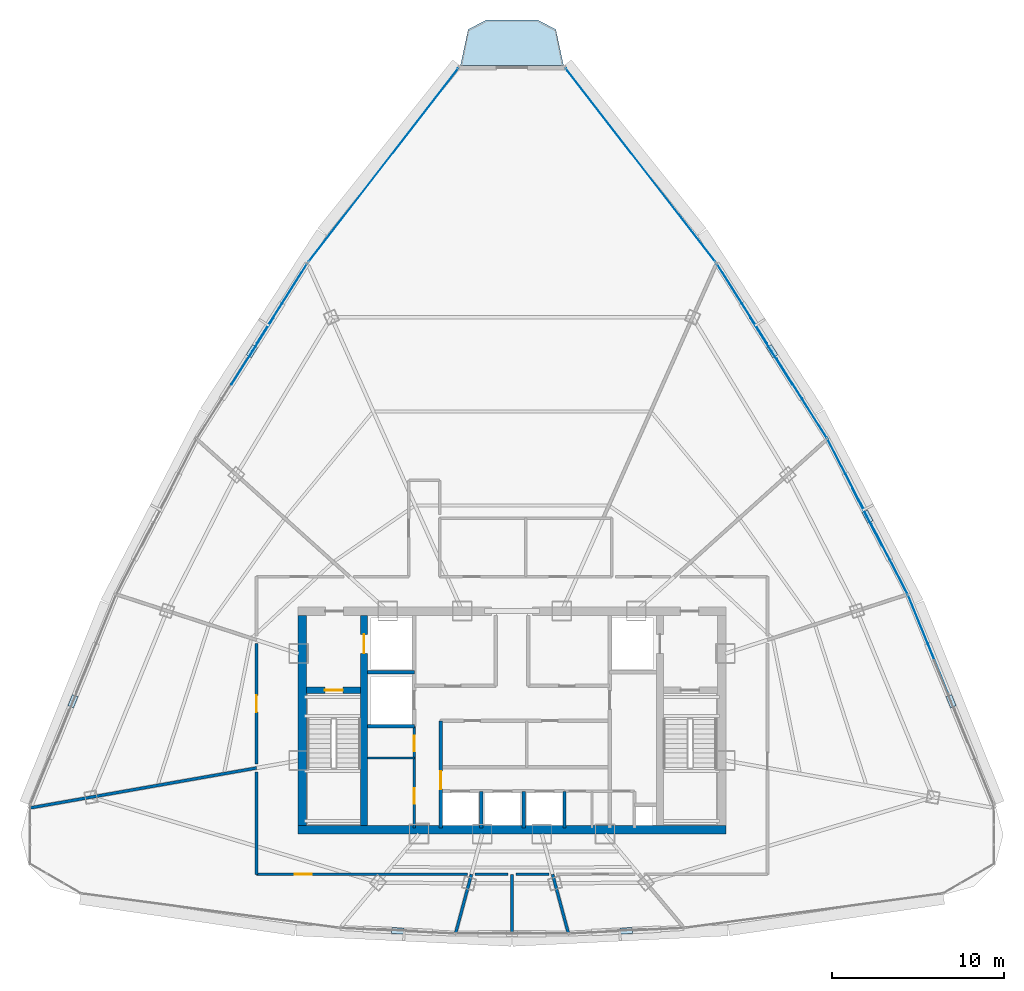
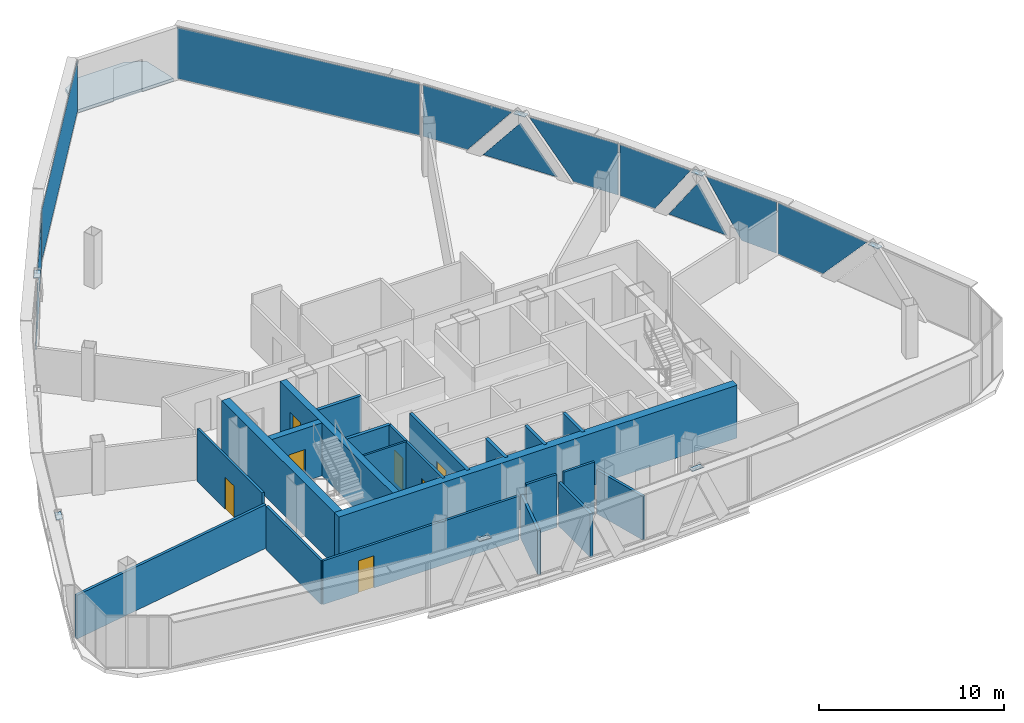
# One storey, part 21 of 26: 21 walls, 18 plates, 7 doors, 1 slab, 7 openings, 6 elements without a shape of their own.
"""IFC4 building model written with IfcOpenShell, lengths in metres."""

from ifc_helpers import new_model, si_unit, direction, frame, frame_2d, origin, origin_with_axes, origin_2d, place, context, subcontext, project, spatial, polyline, rectangle, outline, extrude, source, transform, mapped, material, layer, layer_set, type_object, element, fill, aggregate, save


model = new_model("IFC4")

# Units and contexts
model_context = context("Model", 3, precision=1e-05, world=origin(), true_north=direction((0.0, 1.0)))
body_context = subcontext(model_context, "Body", "Model", "MODEL_VIEW")
ifc_project = project(units=[si_unit("LENGTHUNIT", "METRE"), si_unit("AREAUNIT", "SQUARE_METRE"), si_unit("VOLUMEUNIT", "CUBIC_METRE"), si_unit("PLANEANGLEUNIT", "RADIAN"), si_unit("MASSUNIT", "GRAM", prefix="KILO"), si_unit("THERMODYNAMICTEMPERATUREUNIT", "KELVIN"), si_unit("POWERUNIT", "WATT")], contexts=[model_context])

# Site, building, storey
site_placement = place(None, origin())
site = spatial("IfcSite", under=ifc_project, at=site_placement, CompositionType="ELEMENT")
building_placement = place(site_placement, origin())
building = spatial("IfcBuilding", under=site, at=building_placement, Name="Yunzhuo Pagoda Commons", CompositionType="ELEMENT")
storey_placement = place(building_placement, frame((0.0, 0.0, 340.510009765625)))
storey = spatial("IfcBuildingStorey", under=building, at=storey_placement, Name="L85", CompositionType="ELEMENT", Elevation=340.510009765625)

# Curtain wall, plate
ifc_material_1 = material(Name="Anodized aluminium 6063-T6", Category="aluminium")
ifc_layer_1 = layer(ifc_material_1, 0.139892578125)
ifc_layer_set_1 = layer_set([ifc_layer_1], Name="Anodized aluminium 6063-T6")
curtain_wall_type = type_object("IfcCurtainWallType", Name="CW-HI High-Zone Ribbon Curtain Wall", PredefinedType="NOTDEFINED", material=ifc_layer_set_1)
curtain_wall_1_placement = place(storey_placement, origin())
curtain_wall_1 = element("IfcCurtainWall", 1, at=curtain_wall_1_placement, inside=storey, type_object=curtain_wall_type, Name="L85 curtain wall CW-L85-F2B2", PredefinedType="NOTDEFINED")
ifc_material_2 = material(Name="Tempered low-e double glazing", Category="glass")
ifc_layer_2 = layer(ifc_material_2, 0.02587890625)
ifc_layer_set_2 = layer_set([ifc_layer_2], Name="Tempered low-e double glazing")
plate_type_1 = type_object("IfcPlateType", Name="CW-HI-P Low-E Double Glazing 26", PredefinedType="CURTAIN_PANEL", material=ifc_layer_set_2)
plate_1_placement = place(storey_placement, frame((72.16259765625, 38.29833984375, 1.744873046875), z_axis=(0.925729863061, 0.37818543155, 0.0), x_axis=(-0.37818543155, 0.925729863061, 0.0)))
plate_1 = element("IfcPlate", 2, at=plate_1_placement, type_object=plate_type_1, Name="CW panel 1.1 lite 3", PredefinedType="CURTAIN_PANEL", context=body_context, shape_type="SweptSolid", body=[
    extrude(outline(polyline([(-3.04052734375, 1.68994140625), (-0.021240234375, -1.68994140625), (3.04052734375, -1.68994140625), (3.04052734375, 1.68994140625), (-3.04052734375, 1.68994140625)])), origin(), (0.0, 0.0, 1.0), 0.028076171875),
])
aggregate(curtain_wall_1, [plate_1])

# Curtain wall, plates
curtain_wall_2_placement = place(storey_placement, origin())
curtain_wall_2 = element("IfcCurtainWall", 3, at=curtain_wall_2_placement, inside=storey, type_object=curtain_wall_type, Name="L85 curtain wall CW-L85-F2B3", PredefinedType="NOTDEFINED")
plate_2_placement = place(storey_placement, frame((69.92333984375, 43.232421875, 1.744873046875), z_axis=(0.888380452968, 0.459108016467, 0.0), x_axis=(-0.459108016467, 0.888380452968, 0.0)))
plate_2 = element("IfcPlate", 4, at=plate_2_placement, type_object=plate_type_1, Name="CW panel 1.1 lite 1", PredefinedType="CURTAIN_PANEL", context=body_context, shape_type="SweptSolid", body=[
    extrude(outline(polyline([(-2.263916015625, -1.68994140625), (-0.02734375, -1.68994140625), (2.26416015625, 1.68994140625), (-2.263916015625, 1.68994140625), (-2.263916015625, -1.68994140625)])), origin(), (0.0, 0.0, 1.0), 0.028076171875),
])
plate_3_placement = place(storey_placement, frame((68.62939453125, 45.6708984375, 1.433837890625), z_axis=(0.888380452968, 0.459108016467, 0.0), x_axis=(-0.459108016467, 0.888380452968, 0.0)))
plate_3 = element("IfcPlate", 5, at=plate_3_placement, type_object=plate_type_1, Name="CW panel 1.1 lite 2", PredefinedType="CURTAIN_PANEL", context=body_context, shape_type="SweptSolid", body=[
    extrude(outline(polyline([(-1.86962890625, -1.37890625), (1.86962890625, -1.37890625), (0.0, 1.37890625), (-1.86962890625, -1.37890625)])), origin(), (0.0, 0.0, 1.0), 0.028076171875),
])
plate_4_placement = place(storey_placement, frame((67.388671875, 48.136962890625, 1.744873046875), z_axis=(0.888380452968, 0.459108016467, 0.0), x_axis=(-0.459108016467, 0.888380452968, 0.0)))
plate_4 = element("IfcPlate", 6, at=plate_4_placement, type_object=plate_type_1, Name="CW panel 1.1 lite 3", PredefinedType="CURTAIN_PANEL", context=body_context, shape_type="SweptSolid", body=[
    extrude(outline(polyline([(-2.26416015625, 1.68994140625), (0.02734375, -1.68994140625), (2.263916015625, -1.68994140625), (2.263916015625, 1.68994140625), (-2.26416015625, 1.68994140625)])), origin(), (0.0, 0.0, 1.0), 0.028076171875),
])
aggregate(curtain_wall_2, [plate_2, plate_3, plate_4])

curtain_wall_3_placement = place(storey_placement, origin())
curtain_wall_3 = element("IfcCurtainWall", 7, at=curtain_wall_3_placement, inside=storey, type_object=curtain_wall_type, Name="L85 curtain wall CW-L85-F2B4", PredefinedType="NOTDEFINED")
plate_5_placement = place(storey_placement, frame((64.83837890625, 52.55322265625, 1.744873046875), z_axis=(0.845817518552, 0.533472328532, 0.0), x_axis=(-0.533472328532, 0.845817518552, 0.0)))
plate_5 = element("IfcPlate", 8, at=plate_5_placement, type_object=plate_type_1, Name="CW panel 1.1 lite 1", PredefinedType="CURTAIN_PANEL", context=body_context, shape_type="SweptSolid", body=[
    extrude(outline(polyline([(-2.721435546875, -1.68994140625), (0.001708984375, -1.68994140625), (2.721435546875, 1.68994140625), (-2.721435546875, 1.68994140625), (-2.721435546875, -1.68994140625)])), origin(), (0.0, 0.0, 1.0), 0.028076171875),
])
plate_6_placement = place(storey_placement, frame((63.077392578125, 55.2890625, 1.469482421875), z_axis=(0.845817518552, 0.533472328532, 0.0), x_axis=(-0.533472328532, 0.845817518552, 0.0)))
plate_6 = element("IfcPlate", 9, at=plate_6_placement, type_object=plate_type_1, Name="CW panel 1.1 lite 2", PredefinedType="CURTAIN_PANEL", context=body_context, shape_type="SweptSolid", body=[
    extrude(outline(polyline([(-2.276123046875, -1.414306640625), (2.276123046875, -1.414306640625), (0.0, 1.414306640625), (-2.276123046875, -1.414306640625)])), origin(), (0.0, 0.0, 1.0), 0.028076171875),
])
plate_7_placement = place(storey_placement, frame((61.366943359375, 58.056884765625, 1.744873046875), z_axis=(0.845817518552, 0.533472328532, 0.0), x_axis=(-0.533472328532, 0.845817518552, 0.0)))
plate_7 = element("IfcPlate", 10, at=plate_7_placement, type_object=plate_type_1, Name="CW panel 1.1 lite 3", PredefinedType="CURTAIN_PANEL", context=body_context, shape_type="SweptSolid", body=[
    extrude(outline(polyline([(-2.721435546875, 1.68994140625), (-0.001708984375, -1.68994140625), (2.721435546875, -1.68994140625), (2.721435546875, 1.68994140625), (-2.721435546875, 1.68994140625)])), origin(), (0.0, 0.0, 1.0), 0.028076171875),
])
aggregate(curtain_wall_3, [plate_5, plate_6, plate_7])

curtain_wall_4_placement = place(storey_placement, origin())
curtain_wall_4 = element("IfcCurtainWall", 11, at=curtain_wall_4_placement, inside=storey, type_object=curtain_wall_type, Name="L85 curtain wall CW-L85-F3B2", PredefinedType="NOTDEFINED")
plate_8_placement = place(storey_placement, frame((34.633056640625, 58.056884765625, 1.744873046875), z_axis=(-0.845817518552, 0.533472328532, 0.0), x_axis=(-0.533472328532, -0.845817518552, 0.0)))
plate_8 = element("IfcPlate", 12, at=plate_8_placement, type_object=plate_type_1, Name="CW panel 1.1 lite 1", PredefinedType="CURTAIN_PANEL", context=body_context, shape_type="SweptSolid", body=[
    extrude(outline(polyline([(-2.721435546875, -1.68994140625), (0.001708984375, -1.68994140625), (2.721435546875, 1.68994140625), (-2.721435546875, 1.68994140625), (-2.721435546875, -1.68994140625)])), origin(), (0.0, 0.0, 1.0), 0.028076171875),
])
plate_9_placement = place(storey_placement, frame((32.922607421875, 55.2890625, 1.469482421875), z_axis=(-0.845817518552, 0.533472328532, 0.0), x_axis=(-0.533472328532, -0.845817518552, 0.0)))
plate_9 = element("IfcPlate", 13, at=plate_9_placement, type_object=plate_type_1, Name="CW panel 1.1 lite 2", PredefinedType="CURTAIN_PANEL", context=body_context, shape_type="SweptSolid", body=[
    extrude(outline(polyline([(-2.2763671875, -1.414306640625), (2.2763671875, -1.414306640625), (0.0, 1.414306640625), (-2.2763671875, -1.414306640625)])), origin(), (0.0, 0.0, 1.0), 0.028076171875),
])
aggregate(curtain_wall_4, [plate_8, plate_9])

# Slab
ifc_material_3 = material(Name="Concrete C40", Category="concrete")
ifc_layer_3 = layer(ifc_material_3, 0.199951171875)
ifc_layer_set_3 = layer_set([ifc_layer_3], Name="Concrete C40")
slab_type = type_object("IfcSlabType", Name="SL-BAL Vertex Balcony Deck Slab 200", PredefinedType="FLOOR", material=ifc_layer_set_3)
slab_placement = place(storey_placement, frame((0.0, 0.0, -0.199951171875)))
element("IfcSlab", 14, at=slab_placement, inside=storey, type_object=slab_type, Name="L85 corner balcony V3", PredefinedType="FLOOR", context=body_context, shape_type="SweptSolid", body=[
    extrude(outline(polyline([(50.996337890625, 71.916259765625), (45.003662109375, 71.916259765625), (45.45361328125, 74.01123046875), (46.501708984375, 74.561279296875), (49.498291015625, 74.561279296875), (50.54638671875, 74.01123046875), (50.996337890625, 71.916259765625)])), origin(), (0.0, 0.0, 1.0), 0.199951171875),
])

# Plates
ifc_material_4 = material(Name="Structural steel Q355B", Category="steel")
ifc_layer_4 = layer(ifc_material_4, 0.028076171875)
ifc_layer_set_4 = layer_set([ifc_layer_4], Name="Structural steel Q355B")
plate_type_2 = type_object("IfcPlateType", Name="SP-ND1 Lattice Node Cap Plate 800x500x28", PredefinedType="USERDEFINED", material=ifc_layer_set_4)
shared_shape_1 = source(origin(), body_context, "Body", "SweptSolid", [
    extrude(rectangle(XDim=0.699951171875, YDim=0.35009765625, at=origin_2d()), origin(), (0.0, 0.0, 1.0), 0.035888671875),
])
for number, where, z_axis, x_axis, name in (
    (15, (41.358642578125, 21.616943359375, 3.4521484375), (0.0, 0.0, 1.0), (0.998803578204, -0.048902067096, 0.0), "L85 setback lattice tie plate F1.1L"),
    (16, (54.641357421875, 21.616943359375, 3.4521484375), (0.0, 0.0, 1.0), (0.998803578204, 0.048902067096, 0.0), "L85 setback lattice tie plate F1.3L"),
    (17, (73.5205078125, 34.965087890625, 3.4521484375), (0.0, 0.0, 1.0), (-0.375755256687, 0.926718936395, 0.0), "L85 setback lattice tie plate F2.1L"),
    (18, (68.66845703125, 45.691162109375, 3.4521484375), (0.0, 0.0, 1.0), (-0.459114770487, 0.888376962511, 0.0), "L85 setback lattice tie plate F2.2L"),
    (19, (63.11474609375, 55.3125, 3.4521484375), (0.0, 0.0, 1.0), (-0.533466900438, 0.845820942125, 0.0), "L85 setback lattice tie plate F2.3L"),
    (20, (32.88525390625, 55.3125, 3.4521484375), (0.0, 0.0, 1.0), (-0.533466900438, -0.845820942125, 0.0), "L85 setback lattice tie plate F3.1L"),
    (21, (22.4794921875, 34.965087890625, 3.4521484375), (0.0, 0.0, 1.0), (-0.375755256687, -0.926718936395, 0.0), "L85 setback lattice tie plate F3.3L"),
):
    element("IfcPlate", number, at=place(storey_placement, frame(where, z_axis=z_axis, x_axis=x_axis)), inside=storey, type_object=plate_type_2, Name=name, ObjectType="STIFFENER_PLATE", PredefinedType="USERDEFINED", context=body_context, shape_type="MappedRepresentation", body=[
        mapped(shared_shape_1, transform((0.0, 0.0, 0.0), scale=1.0)),
    ])

# Curtain wall, plate
curtain_wall_5_placement = place(storey_placement, origin())
curtain_wall_5 = element("IfcCurtainWall", 22, at=curtain_wall_5_placement, inside=storey, type_object=curtain_wall_type, Name="L85 curtain wall CW-L85-F2B5", PredefinedType="NOTDEFINED")
shared_shape_2 = source(origin(), body_context, "Body", "SweptSolid", [
    extrude(rectangle(XDim=14.180419921875, YDim=0.028076171875, at=origin_2d()), origin(), (0.0, 0.0, 1.0), 3.3798828125),
])
plate_10_placement = place(storey_placement, frame((55.470458984375, 66.12890625, 0.054931640625), z_axis=(0.0, 0.0, 1.0), x_axis=(-0.612426610189, 0.79052744869, 0.0)))
plate_10 = element("IfcPlate", 23, at=plate_10_placement, type_object=plate_type_1, Name="CW panel 1.1", PredefinedType="CURTAIN_PANEL", context=body_context, shape_type="MappedRepresentation", body=[
    mapped(shared_shape_2, transform((0.0, 0.0, 0.0), scale=1.0)),
])
aggregate(curtain_wall_5, [plate_10])

curtain_wall_6_placement = place(storey_placement, origin())
curtain_wall_6 = element("IfcCurtainWall", 24, at=curtain_wall_6_placement, inside=storey, type_object=curtain_wall_type, Name="L85 curtain wall CW-L85-F3B1", PredefinedType="NOTDEFINED")
plate_11_placement = place(storey_placement, frame((40.529541015625, 66.12890625, 0.054931640625), z_axis=(0.0, 0.0, 1.0), x_axis=(-0.612426610189, -0.79052744869, 0.0)))
plate_11 = element("IfcPlate", 25, at=plate_11_placement, type_object=plate_type_1, Name="CW panel 1.1", PredefinedType="CURTAIN_PANEL", context=body_context, shape_type="MappedRepresentation", body=[
    mapped(shared_shape_2, transform((0.0, 0.0, 0.0), scale=1.0)),
])
aggregate(curtain_wall_6, [plate_11])

# Walls
ifc_material_5 = material(Name="Concrete C50", Category="concrete")
ifc_layer_5 = layer(ifc_material_5, 0.5)
ifc_layer_set_5 = layer_set([ifc_layer_5], Name="Concrete C50")
wall_type_1 = type_object("IfcWallType", Name="W-C03 Upper Core Shear Wall 500", PredefinedType="SHEAR", material=ifc_layer_set_5)
wall_1_placement = place(storey_placement, frame((35.550048828125, 27.5, 0.0), z_axis=(0.0, 0.0, 1.0), x_axis=(1.0, 0.0, 0.0)))
element("IfcWall", 26, at=wall_1_placement, inside=storey, type_object=wall_type_1, Name="L85 core shear wall S", PredefinedType="SHEAR", context=body_context, shape_type="SweptSolid", body=[
    extrude(rectangle(XDim=24.89990234375, YDim=0.5, at=frame_2d((12.449951171875, 0.0))), origin(), (0.0, 0.0, 1.0), 3.489990234375),
])
wall_2_placement = place(storey_placement, frame((35.800048828125, 27.75, 0.0), z_axis=(0.0, 0.0, 1.0), x_axis=(0.0, 1.0, 0.0)))
element("IfcWall", 27, at=wall_2_placement, inside=storey, type_object=wall_type_1, Name="L85 core shear wall W", PredefinedType="SHEAR", context=body_context, shape_type="SweptSolid", body=[
    extrude(rectangle(XDim=12.199951171875, YDim=0.5, at=frame_2d((6.10009765625, 0.0))), origin(), (0.0, 0.0, 1.0), 3.489990234375),
])

# Wall, openings, doors
ifc_material_6 = material(Name="Gypsum plasterboard on acoustic stud")
ifc_layer_6 = layer(ifc_material_6, 0.14990234375)
ifc_layer_set_6 = layer_set([ifc_layer_6], Name="Gypsum plasterboard on acoustic stud")
wall_type_2 = type_object("IfcWallType", Name="W-COR3 High-Zone Rated Corridor Wall 150", PredefinedType="PARTITIONING", material=ifc_layer_set_6)
wall_3_placement = place(storey_placement, frame((42.320068359375, 27.60009765625, 0.0), z_axis=(0.0, 0.0, 1.0), x_axis=(0.0, 1.0, 0.0)))
wall_3 = element("IfcWall", 28, at=wall_3_placement, inside=storey, type_object=wall_type_2, Name="L85 interior wall IW-L85-CSWE", PredefinedType="PARTITIONING", context=body_context, shape_type="SweptSolid", body=[
    extrude(rectangle(XDim=5.89990234375, YDim=0.14990234375, at=frame_2d((2.949951171875, 0.0))), origin(), (0.0, 0.0, 1.0), 3.489990234375),
])
opening_1_placement = place(wall_3_placement, frame((1.39990234375, 0.0, 0.0)))
opening_1 = element("IfcOpeningElement", 29, at=opening_1_placement, cuts=wall_3, Name="Opening D-03", PredefinedType="OPENING", context=body_context, shape_type="SweptSolid", body=[
    extrude(rectangle(XDim=0.89990234375, YDim=2.10009765625, at=frame_2d((0.449951171875, 1.050048828125))), frame((0.0, 0.0849609375, 0.0), z_axis=(0.0, -1.0, 0.0), x_axis=(1.0, 0.0, 0.0)), (0.0, 0.0, 1.0), 0.169921875),
])
opening_2_placement = place(wall_3_placement, frame((4.449951171875, 0.0, 0.0)))
opening_2 = element("IfcOpeningElement", 30, at=opening_2_placement, cuts=wall_3, Name="Opening D-03", PredefinedType="OPENING", context=body_context, shape_type="SweptSolid", body=[
    extrude(rectangle(XDim=0.89990234375, YDim=2.10009765625, at=frame_2d((0.449951171875, 1.050048828125))), frame((0.0, 0.0849609375, 0.0), z_axis=(0.0, -1.0, 0.0), x_axis=(1.0, 0.0, 0.0)), (0.0, 0.0, 1.0), 0.169921875),
])
ifc_material_7 = material(Name="Galvanized fire-resisting metal leaf")
door_type_1 = type_object("IfcDoorType", Name="D-03 Core Service Fire Door 900x2100", OperationType="NOTDEFINED", PredefinedType="DOOR", material=ifc_material_7)
shared_shape_3 = source(origin(), body_context, "Body", "SweptSolid", [
    extrude(rectangle(XDim=0.89990234375, YDim=2.10009765625, at=frame_2d((0.449951171875, 1.050048828125))), frame((0.0, 0.02490234375, 0.0), z_axis=(0.0, -1.0, 0.0), x_axis=(1.0, 0.0, 0.0)), (0.0, 0.0, 1.0), 0.050048828125),
])
door_1_placement = place(opening_1_placement, origin_with_axes())
door_1 = element("IfcDoor", 31, at=door_1_placement, inside=storey, type_object=door_type_1, Name="L85 service store door", OperationType="SINGLE_SWING_LEFT", OverallHeight=2.10009765625, OverallWidth=0.89990234375, PredefinedType="DOOR", context=body_context, shape_type="MappedRepresentation", body=[
    mapped(shared_shape_3, transform((0.0, 0.0, 0.0), scale=1.0)),
])
fill(opening_1, door_1)
door_2_placement = place(opening_2_placement, origin_with_axes())
door_2 = element("IfcDoor", 32, at=door_2_placement, inside=storey, type_object=door_type_1, Name="L85 switch closet door", OperationType="SINGLE_SWING_RIGHT", OverallHeight=2.10009765625, OverallWidth=0.89990234375, PredefinedType="DOOR", context=body_context, shape_type="MappedRepresentation", body=[
    mapped(shared_shape_3, transform((0.0, 0.0, 0.0), scale=1.0)),
])
fill(opening_2, door_2)

# Wall
wall_4_placement = place(storey_placement, frame((33.14990234375, 24.89990234375, 0.0), z_axis=(0.0, 0.0, 1.0), x_axis=(0.0, 1.0, 0.0)))
element("IfcWall", 33, at=wall_4_placement, inside=storey, type_object=wall_type_2, Name="L85 interior wall IW-L85-CWL01", PredefinedType="PARTITIONING", context=body_context, shape_type="SweptSolid", body=[
    extrude(rectangle(XDim=5.958251953125, YDim=0.14990234375, at=frame_2d((2.97900390625, 0.0))), origin(), (0.0, 0.0, 1.0), 2.889892578125),
])

# Wall, opening, door
wall_5_placement = place(storey_placement, frame((33.14990234375, 31.30126953125, 0.0), z_axis=(0.0, 0.0, 1.0), x_axis=(0.0, 1.0, 0.0)))
wall_5 = element("IfcWall", 34, at=wall_5_placement, inside=storey, type_object=wall_type_2, Name="L85 interior wall IW-L85-CWL02", PredefinedType="PARTITIONING", context=body_context, shape_type="SweptSolid", body=[
    extrude(rectangle(XDim=7.004150390625, YDim=0.14990234375, at=frame_2d((3.501953125, 0.0))), origin(), (0.0, 0.0, 1.0), 3.489990234375),
])
opening_3_placement = place(wall_5_placement, frame((3.027099609375, 0.0, 0.0)))
opening_3 = element("IfcOpeningElement", 35, at=opening_3_placement, cuts=wall_5, Name="Opening D-08", PredefinedType="OPENING", context=body_context, shape_type="SweptSolid", body=[
    extrude(rectangle(XDim=0.97998046875, YDim=2.1201171875, at=frame_2d((0.489990234375, 1.06005859375))), frame((0.0, 0.0849609375, 0.0), z_axis=(0.0, -1.0, 0.0), x_axis=(1.0, 0.0, 0.0)), (0.0, 0.0, 1.0), 0.169921875),
])
door_type_2 = type_object("IfcDoorType", Name="D-08 High-Zone Suite Entrance Fire Door 980x2120", OperationType="NOTDEFINED", PredefinedType="DOOR", material=ifc_material_7)
shared_shape_4 = source(origin(), body_context, "Body", "SweptSolid", [
    extrude(rectangle(XDim=0.97998046875, YDim=2.1201171875, at=frame_2d((0.489990234375, 1.06005859375))), frame((0.0, 0.02490234375, 0.0), z_axis=(0.0, -1.0, 0.0), x_axis=(1.0, 0.0, 0.0)), (0.0, 0.0, 1.0), 0.050048828125),
])
door_3_placement = place(opening_3_placement, origin_with_axes())
door_3 = element("IfcDoor", 36, at=door_3_placement, inside=storey, type_object=door_type_2, Name="L85 unit 05 entrance door", OperationType="SINGLE_SWING_RIGHT", OverallHeight=2.1201171875, OverallWidth=0.97998046875, PredefinedType="DOOR", context=body_context, shape_type="MappedRepresentation", body=[
    mapped(shared_shape_4, transform((0.0, 0.0, 0.0), scale=1.0)),
])
fill(opening_3, door_3)

# Walls
for number, where, z_axis, x_axis, name in (
    (37, (50.13818359375, 24.89990234375, 0.0), (0.0, 0.0, 1.0), (-1.0, 0.0, 0.0), "L85 interior wall IW-L85-CWL15"),
    (38, (47.780029296875, 24.89990234375, 0.0), (0.0, 0.0, 1.0), (-1.0, 0.0, 0.0), "L85 interior wall IW-L85-CWL16"),
):
    element("IfcWall", number, at=place(storey_placement, frame(where, z_axis=z_axis, x_axis=x_axis)), inside=storey, type_object=wall_type_2, Name=name, PredefinedType="PARTITIONING", context=body_context, shape_type="SweptSolid", body=[
        extrude(rectangle(XDim=1.918212890625, YDim=0.14990234375, at=frame_2d((0.958984375, 0.0))), origin(), (0.0, 0.0, 1.0), 3.489990234375),
    ])

# Wall, opening, door
wall_6_placement = place(storey_placement, frame((45.414306640625, 24.89990234375, 0.0), z_axis=(0.0, 0.0, 1.0), x_axis=(-1.0, 0.0, 0.0)))
wall_6 = element("IfcWall", 39, at=wall_6_placement, inside=storey, type_object=wall_type_2, Name="L85 interior wall IW-L85-CWL17", PredefinedType="PARTITIONING", context=body_context, shape_type="SweptSolid", body=[
    extrude(rectangle(XDim=12.264404296875, YDim=0.14990234375, at=frame_2d((6.13232421875, 0.0))), origin(), (0.0, 0.0, 1.0), 2.889892578125),
])
opening_4_placement = place(wall_6_placement, frame((9.06396484375, 0.0, 0.0)))
opening_4 = element("IfcOpeningElement", 40, at=opening_4_placement, cuts=wall_6, Name="Opening D-08", PredefinedType="OPENING", context=body_context, shape_type="SweptSolid", body=[
    extrude(rectangle(XDim=0.97998046875, YDim=2.1201171875, at=frame_2d((0.489990234375, 1.06005859375))), frame((0.0, 0.0849609375, 0.0), z_axis=(0.0, -1.0, 0.0), x_axis=(1.0, 0.0, 0.0)), (0.0, 0.0, 1.0), 0.169921875),
])
door_4_placement = place(opening_4_placement, origin_with_axes())
door_4 = element("IfcDoor", 41, at=door_4_placement, inside=storey, type_object=door_type_2, Name="L85 Resident Co-Living Commons Hall door", OperationType="SINGLE_SWING_LEFT", OverallHeight=2.1201171875, OverallWidth=0.97998046875, PredefinedType="DOOR", context=body_context, shape_type="MappedRepresentation", body=[
    mapped(shared_shape_4, transform((0.0, 0.0, 0.0), scale=1.0)),
])
fill(opening_4, door_4)

# Walls
ifc_layer_7 = layer(ifc_material_6, 0.1201171875)
ifc_layer_set_7 = layer_set([ifc_layer_7], Name="Gypsum plasterboard on acoustic stud")
wall_type_3 = type_object("IfcWallType", Name="W-PRT1 Suite & Bathroom Partition 120", PredefinedType="PARTITIONING", material=ifc_layer_set_7)
wall_7_placement = place(storey_placement, frame((39.60009765625, 31.64990234375, 0.0), z_axis=(0.0, 0.0, 1.0), x_axis=(1.0, 0.0, 0.0)))
element("IfcWall", 42, at=wall_7_placement, inside=storey, type_object=wall_type_3, Name="L85 interior wall IW-L85-CD1", PredefinedType="PARTITIONING", context=body_context, shape_type="SweptSolid", body=[
    extrude(rectangle(XDim=2.719970703125, YDim=0.1201171875, at=frame_2d((1.35986328125, 0.0))), origin(), (0.0, 0.0, 1.0), 3.489990234375),
])
ifc_layer_8 = layer(ifc_material_6, 0.169921875)
ifc_layer_set_8 = layer_set([ifc_layer_8], Name="Gypsum plasterboard on acoustic stud")
wall_type_4 = type_object("IfcWallType", Name="W-PRT4 High-Zone Demising Wall 170", PredefinedType="PARTITIONING", material=ifc_layer_set_8)
wall_8_placement = place(storey_placement, frame((33.14990234375, 31.08154296875, 0.0), z_axis=(0.0, 0.0, 1.0), x_axis=(-0.984808938627, -0.173641453575, 0.0)))
element("IfcWall", 43, at=wall_8_placement, inside=storey, type_object=wall_type_4, Name="L85 interior wall IW-L85-RAD06", PredefinedType="PARTITIONING", context=body_context, shape_type="SweptSolid", body=[
    extrude(rectangle(XDim=13.3583984375, YDim=0.169921875, at=frame_2d((6.67919921875, 0.0))), origin(), (0.0, 0.0, 1.0), 2.889892578125),
])
wall_9_placement = place(storey_placement, frame((45.64208984375, 24.89990234375, 0.0), z_axis=(0.0, 0.0, 1.0), x_axis=(-0.258837518281, -0.965920876227, 0.0)))
element("IfcWall", 44, at=wall_9_placement, inside=storey, type_object=wall_type_4, Name="L85 interior wall IW-L85-RAD07", PredefinedType="PARTITIONING", context=body_context, shape_type="SweptSolid", body=[
    extrude(rectangle(XDim=3.569091796875, YDim=0.169921875, at=frame_2d((1.78466796875, 0.0))), origin(), (0.0, 0.0, 1.0), 2.889892578125),
])
wall_10_placement = place(storey_placement, frame((48.0, 24.89990234375, 0.0), z_axis=(0.0, 0.0, 1.0), x_axis=(0.0, -1.0, 0.0)))
element("IfcWall", 45, at=wall_10_placement, inside=storey, type_object=wall_type_4, Name="L85 interior wall IW-L85-RAD08", PredefinedType="PARTITIONING", context=body_context, shape_type="SweptSolid", body=[
    extrude(rectangle(XDim=3.447509765625, YDim=0.169921875, at=frame_2d((1.7236328125, 0.0))), origin(), (0.0, 0.0, 1.0), 2.889892578125),
])
wall_11_placement = place(storey_placement, frame((50.35791015625, 24.89990234375, 0.0), z_axis=(0.0, 0.0, 1.0), x_axis=(0.258837518281, -0.965920876227, 0.0)))
element("IfcWall", 46, at=wall_11_placement, inside=storey, type_object=wall_type_4, Name="L85 interior wall IW-L85-RAD09", PredefinedType="PARTITIONING", context=body_context, shape_type="SweptSolid", body=[
    extrude(rectangle(XDim=3.569091796875, YDim=0.169921875, at=frame_2d((1.78466796875, 0.0))), origin(), (0.0, 0.0, 1.0), 2.889892578125),
])

# Wall, opening, door
ifc_material_8 = material(Name="Concrete C60", Category="concrete")
ifc_layer_9 = layer(ifc_material_8, 0.39990234375)
ifc_layer_set_9 = layer_set([ifc_layer_9], Name="Concrete C60")
wall_type_5 = type_object("IfcWallType", Name="W-S01 Internal Core Shear Web 400", PredefinedType="SHEAR", material=ifc_layer_set_9)
wall_12_placement = place(storey_placement, frame((39.39990234375, 27.75, 0.0), z_axis=(0.0, 0.0, 1.0), x_axis=(0.0, 1.0, 0.0)))
wall_12 = element("IfcWall", 47, at=wall_12_placement, inside=storey, type_object=wall_type_5, Name="L85 core shear wall WEBW", PredefinedType="SHEAR", context=body_context, shape_type="SweptSolid", body=[
    extrude(rectangle(XDim=12.199951171875, YDim=0.39990234375, at=frame_2d((6.10009765625, 0.0))), origin(), (0.0, 0.0, 1.0), 3.489990234375),
])
opening_5_placement = place(wall_12_placement, frame((10.0, 0.0, 0.0)))
opening_5 = element("IfcOpeningElement", 48, at=opening_5_placement, cuts=wall_12, Name="Opening LD-01", PredefinedType="OPENING", context=body_context, shape_type="SweptSolid", body=[
    extrude(rectangle(XDim=1.10009765625, YDim=2.10009765625, at=frame_2d((0.550048828125, 1.050048828125))), frame((0.0, 0.2099609375, 0.0), z_axis=(0.0, -1.0, 0.0), x_axis=(1.0, 0.0, 0.0)), (0.0, 0.0, 1.0), 0.419921875),
])
door_type_3 = type_object("IfcDoorType", Name="LD-01 Firefighting Lift Landing Door 1100x2100", OperationType="DOUBLE_DOOR_SLIDING", PredefinedType="DOOR", material=ifc_material_7)
shared_shape_5 = source(origin(), body_context, "Body", "SweptSolid", [
    extrude(rectangle(XDim=1.10009765625, YDim=2.10009765625, at=frame_2d((0.550048828125, 1.050048828125))), frame((0.0, 0.02490234375, 0.0), z_axis=(0.0, -1.0, 0.0), x_axis=(1.0, 0.0, 0.0)), (0.0, 0.0, 1.0), 0.050048828125),
])
door_5_placement = place(opening_5_placement, frame((1.10009765625, 0.0, 0.0), z_axis=(0.0, 0.0, 1.0), x_axis=(-1.0, 0.0, 0.0)))
door_5 = element("IfcDoor", 49, at=door_5_placement, inside=storey, type_object=door_type_3, Name="L85 Firefighting lift FL-1 landing door", OperationType="DOUBLE_DOOR_SLIDING", OverallHeight=2.10009765625, OverallWidth=1.10009765625, PredefinedType="DOOR", context=body_context, shape_type="MappedRepresentation", body=[
    mapped(shared_shape_5, transform((0.0, 0.0, 0.0), scale=1.0)),
])
fill(opening_5, door_5)

wall_13_placement = place(storey_placement, frame((36.050048828125, 35.60009765625, 0.0), z_axis=(0.0, 0.0, 1.0), x_axis=(1.0, 0.0, 0.0)))
wall_13 = element("IfcWall", 50, at=wall_13_placement, inside=storey, type_object=wall_type_5, Name="L85 core shear wall STW", PredefinedType="SHEAR", context=body_context, shape_type="SweptSolid", body=[
    extrude(rectangle(XDim=3.14990234375, YDim=0.39990234375, at=frame_2d((1.574951171875, 0.0))), origin(), (0.0, 0.0, 1.0), 3.489990234375),
])
opening_6_placement = place(wall_13_placement, frame((1.070068359375, 0.0, 0.0)))
opening_6 = element("IfcOpeningElement", 51, at=opening_6_placement, cuts=wall_13, Name="Opening D-01", PredefinedType="OPENING", context=body_context, shape_type="SweptSolid", body=[
    extrude(rectangle(XDim=1.050048828125, YDim=2.10009765625, at=frame_2d((0.52490234375, 1.050048828125))), frame((0.0, 0.2099609375, 0.0), z_axis=(0.0, -1.0, 0.0), x_axis=(1.0, 0.0, 0.0)), (0.0, 0.0, 1.0), 0.419921875),
])
door_type_4 = type_object("IfcDoorType", Name="D-01 Smokeproof Stair Fire Door 1050x2100", OperationType="NOTDEFINED", PredefinedType="DOOR", material=ifc_material_7)
shared_shape_6 = source(origin(), body_context, "Body", "SweptSolid", [
    extrude(rectangle(XDim=1.050048828125, YDim=2.10009765625, at=frame_2d((0.52490234375, 1.050048828125))), frame((0.0, 0.02490234375, 0.0), z_axis=(0.0, -1.0, 0.0), x_axis=(1.0, 0.0, 0.0)), (0.0, 0.0, 1.0), 0.050048828125),
])
door_6_placement = place(opening_6_placement, frame((1.050048828125, 0.0, 0.0), z_axis=(0.0, 0.0, 1.0), x_axis=(-1.0, 0.0, 0.0)))
door_6 = element("IfcDoor", 52, at=door_6_placement, inside=storey, type_object=door_type_4, Name="L85 Stair ST1 fire door", OperationType="SINGLE_SWING_LEFT", OverallHeight=2.10009765625, OverallWidth=1.050048828125, PredefinedType="DOOR", context=body_context, shape_type="MappedRepresentation", body=[
    mapped(shared_shape_6, transform((0.0, 0.0, 0.0), scale=1.0)),
])
fill(opening_6, door_6)

# Walls
ifc_layer_10 = layer(ifc_material_3, 0.199951171875)
ifc_layer_set_10 = layer_set([ifc_layer_10], Name="Concrete C40")
wall_type_6 = type_object("IfcWallType", Name="W-SHF Shaft & Stair Enclosure Wall 200", PredefinedType="SOLIDWALL", material=ifc_layer_set_10)
for number, where, z_axis, x_axis, name in (
    (53, (39.60009765625, 36.64990234375, 0.0), (0.0, 0.0, 1.0), (1.0, 0.0, 0.0), "L85 interior wall IW-L85-FL1S"),
    (54, (39.60009765625, 33.5, 0.0), (0.0, 0.0, 1.0), (1.0, 0.0, 0.0), "L85 interior wall IW-L85-SL1S"),
):
    element("IfcWall", number, at=place(storey_placement, frame(where, z_axis=z_axis, x_axis=x_axis)), inside=storey, type_object=wall_type_6, Name=name, PredefinedType="SOLIDWALL", context=body_context, shape_type="SweptSolid", body=[
        extrude(rectangle(XDim=2.719970703125, YDim=0.199951171875, at=frame_2d((1.35986328125, 0.0))), origin(), (0.0, 0.0, 1.0), 3.489990234375),
    ])

# Wall, opening, door
wall_14_placement = place(storey_placement, frame((43.85009765625, 27.60009765625, 0.0), z_axis=(0.0, 0.0, 1.0), x_axis=(0.0, 1.0, 0.0)))
wall_14 = element("IfcWall", 55, at=wall_14_placement, inside=storey, type_object=wall_type_6, Name="L85 interior wall IW-L85-PLMW", PredefinedType="SOLIDWALL", context=body_context, shape_type="SweptSolid", body=[
    extrude(rectangle(XDim=6.219970703125, YDim=0.199951171875, at=frame_2d((3.10986328125, 0.0))), origin(), (0.0, 0.0, 1.0), 3.489990234375),
])
opening_7_placement = place(wall_14_placement, frame((2.25, 0.0, 0.0)))
opening_7 = element("IfcOpeningElement", 56, at=opening_7_placement, cuts=wall_14, Name="Opening D-02", PredefinedType="OPENING", context=body_context, shape_type="SweptSolid", body=[
    extrude(rectangle(XDim=1.050048828125, YDim=2.10009765625, at=frame_2d((0.52490234375, 1.050048828125))), frame((0.0, 0.10986328125, 0.0), z_axis=(0.0, -1.0, 0.0), x_axis=(1.0, 0.0, 0.0)), (0.0, 0.0, 1.0), 0.219970703125),
])
door_type_5 = type_object("IfcDoorType", Name="D-02 Firefighting Lobby & Refuge Fire Door 1050x2100", OperationType="NOTDEFINED", PredefinedType="DOOR", material=ifc_material_7)
door_7_placement = place(opening_7_placement, frame((1.050048828125, 0.0, 0.0), z_axis=(0.0, 0.0, 1.0), x_axis=(-1.0, 0.0, 0.0)))
door_7 = element("IfcDoor", 57, at=door_7_placement, inside=storey, type_object=door_type_5, Name="L85 High-bank hall west door", OperationType="SINGLE_SWING_LEFT", OverallHeight=2.10009765625, OverallWidth=1.050048828125, PredefinedType="DOOR", context=body_context, shape_type="MappedRepresentation", body=[
    mapped(shared_shape_6, transform((0.0, 0.0, 0.0), scale=1.0)),
])
fill(opening_7, door_7)

# Walls
for number, where, z_axis, x_axis, name in (
    (58, (51.050048828125, 27.60009765625, 0.0), (0.0, 0.0, 1.0), (0.0, 1.0, 0.0), "L85 interior wall IW-L85-PLHE"),
    (59, (46.22509765625, 27.60009765625, 0.0), (0.0, 0.0, 1.0), (0.0, 1.0, 0.0), "L85 interior wall IW-L85-PLHD1"),
    (60, (48.675048828125, 27.60009765625, 0.0), (0.0, 0.0, 1.0), (0.0, 1.0, 0.0), "L85 interior wall IW-L85-PLHD2"),
):
    element("IfcWall", number, at=place(storey_placement, frame(where, z_axis=z_axis, x_axis=x_axis)), inside=storey, type_object=wall_type_6, Name=name, PredefinedType="SOLIDWALL", context=body_context, shape_type="SweptSolid", body=[
        extrude(rectangle(XDim=2.119873046875, YDim=0.199951171875, at=frame_2d((1.06005859375, 0.0))), origin(), (0.0, 0.0, 1.0), 3.489990234375),
    ])

save(model, "model.ifc")
